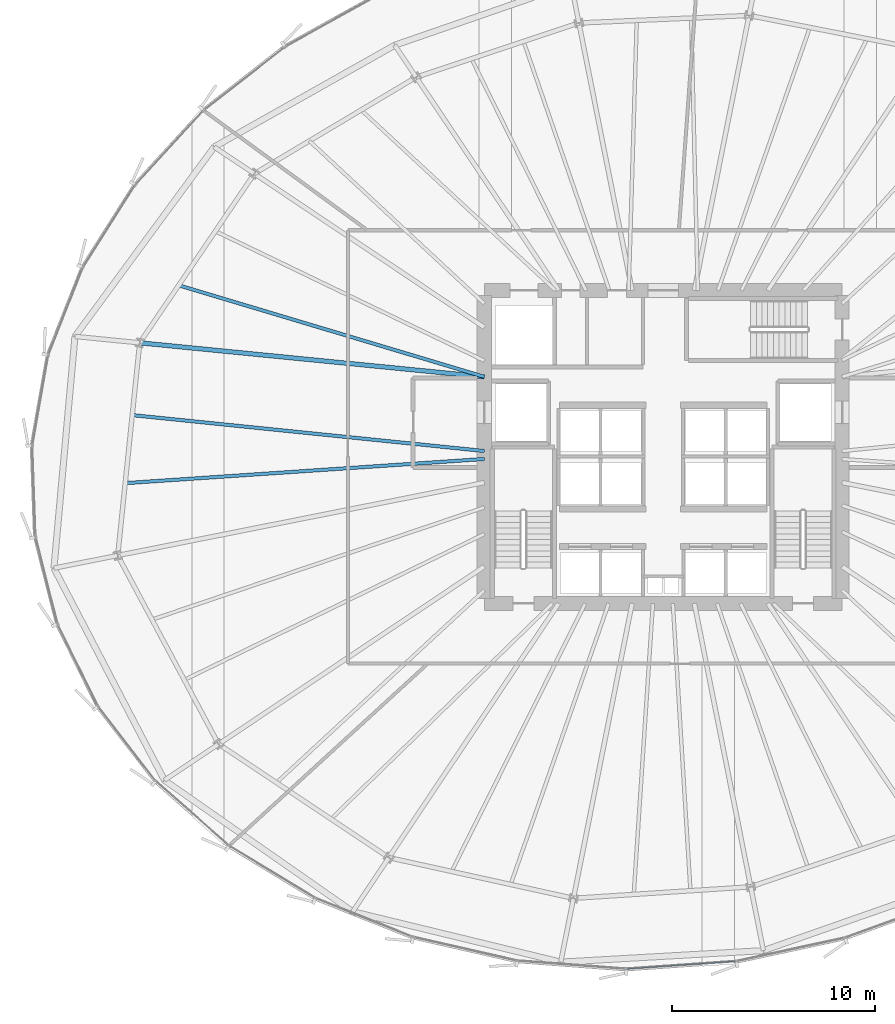
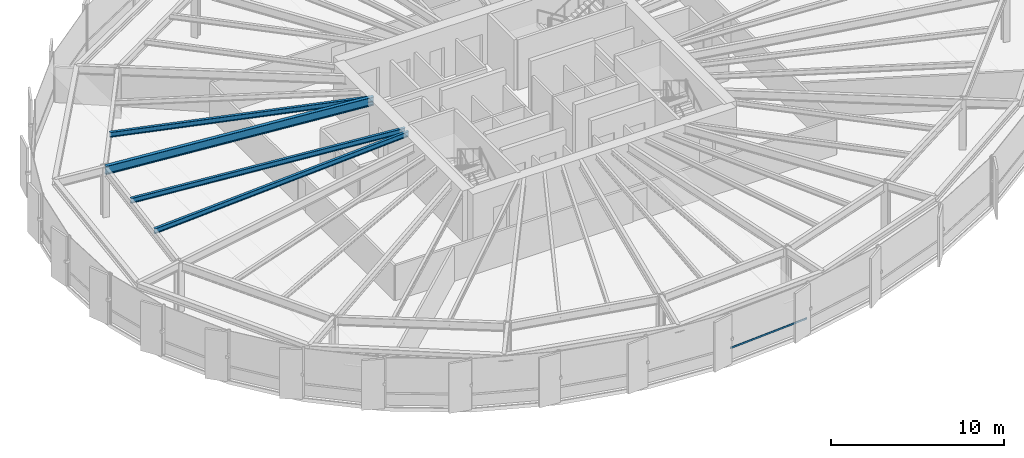
# One storey, part 10 of 38: 4 beams, 1 member, 1 element without a shape of its own.
"""IFC4 building model written with IfcOpenShell, lengths in metres."""

import ifcopenshell
import ifcopenshell.guid

model = None  # the IFC model being written
_history = None  # IfcOwnerHistory: only IFC2X3 demands one
_inside = {}  # id of a spatial element -> (the spatial element, [elements in it])
_under = {}  # id of a project, library or spatial element -> (it, [spatial elements below it])
_declared = {}  # id of a project -> (the project, [libraries it declares])
_typed = {}  # id of a type object -> (the type object, [elements of that type])
_made_of = {}  # id of a material, layer set ... -> (it, [elements and type objects made of it])


def new_model(schema):
    """Start an empty IFC model of exactly this schema.

    Asked for "IFC4X3", IfcOpenShell would pick the latest addendum, in which some entities
    have other attributes; the version numbers below select the first issue.
    IFC2X3 requires an IfcOwnerHistory on every rooted entity: one is made here for all.
    """
    global model, _history
    if schema == "IFC4X3":
        model = ifcopenshell.file(schema_version=(4, 3, 0, 0))
    else:
        model = ifcopenshell.file(schema=schema)
    _inside.clear()
    _under.clear()
    _declared.clear()
    _typed.clear()
    _made_of.clear()
    _history = None
    if model.schema == "IFC2X3":
        org = make("IfcOrganization", Name="unknown")
        user = make(
            "IfcPersonAndOrganization",
            ThePerson=make("IfcPerson", FamilyName="unknown"),
            TheOrganization=org,
        )
        app = make(
            "IfcApplication",
            ApplicationDeveloper=org,
            Version="unknown",
            ApplicationFullName="unknown",
            ApplicationIdentifier="unknown",
        )
        _history = make(
            "IfcOwnerHistory",
            OwningUser=user,
            OwningApplication=app,
            ChangeAction="ADDED",
            CreationDate=0,
        )
    return model


def make(cls, **values):
    """One entity of the class cls with the attributes given. An attribute that is None is left unset."""
    return model.create_entity(
        cls, **{name: value for name, value in values.items() if value is not None}
    )


def rooted(cls, **values):
    """An entity with a GlobalId (a new one), such as an element, a storey or a relation."""
    return make(cls, GlobalId=ifcopenshell.guid.new(), OwnerHistory=_history, **values)


def si_unit(unit_type, name, prefix=None):
    """IfcSIUnit, for example si_unit("LENGTHUNIT", "METRE", prefix="MILLI")."""
    return make("IfcSIUnit", UnitType=unit_type, Prefix=prefix, Name=name)


def assignment(units):
    """IfcUnitAssignment: the units of a project."""
    return None if units is None else make("IfcUnitAssignment", Units=units)


def point(xyz):
    """IfcCartesianPoint."""
    return None if xyz is None else make("IfcCartesianPoint", Coordinates=xyz)


def direction(xyz):
    """IfcDirection."""
    return None if xyz is None else make("IfcDirection", DirectionRatios=xyz)


def frame(location, z_axis=None, x_axis=None):
    """IfcAxis2Placement3D, a coordinate frame: its origin and axes. An axis left out is left unset."""
    return make(
        "IfcAxis2Placement3D",
        Location=point(location),
        Axis=direction(z_axis),
        RefDirection=direction(x_axis),
    )


def frame_2d(location, x_axis=None):
    """IfcAxis2Placement2D, a coordinate frame in the plane: its origin and x axis."""
    return make(
        "IfcAxis2Placement2D", Location=point(location), RefDirection=direction(x_axis)
    )


def origin():
    """The frame at (0, 0, 0) with its axes left unset."""
    return frame((0.0, 0.0, 0.0))


def origin_2d():
    """The frame at (0, 0) in the plane with its x axis left unset."""
    return frame_2d((0.0, 0.0))


def place(relative_to, where):
    """IfcLocalPlacement: puts the frame where relative to a parent placement (None: the world)."""
    return make(
        "IfcLocalPlacement", PlacementRelTo=relative_to, RelativePlacement=where
    )


def context(
    kind, dimensions, precision=None, world=None, true_north=None, identifier=None
):
    """IfcGeometricRepresentationContext, for example the 3D "Model" context."""
    return make(
        "IfcGeometricRepresentationContext",
        ContextIdentifier=identifier,
        ContextType=kind,
        CoordinateSpaceDimension=dimensions,
        Precision=precision,
        WorldCoordinateSystem=world,
        TrueNorth=true_north,
    )


def subcontext(parent, identifier, kind, view, scale=None):
    """IfcGeometricRepresentationSubContext, for example "Body" below "Model"."""
    return make(
        "IfcGeometricRepresentationSubContext",
        ContextIdentifier=identifier,
        ContextType=kind,
        ParentContext=parent,
        TargetScale=scale,
        TargetView=view,
    )


def project(units=None, contexts=None):
    """IfcProject with its units and contexts."""
    return rooted(
        "IfcProject",
        Name="project",
        RepresentationContexts=contexts,
        UnitsInContext=assignment(units),
    )


def spatial(cls, under=None, at=None, **own):
    """A site, building, storey or space (cls), placed at a placement, below another one or the project."""
    s = rooted(cls, ObjectPlacement=at, **own)
    if under is not None:
        _under.setdefault(under.id(), (under, []))[1].append(s)
    return s


def profile(cls, at=None, kind="AREA", **sizes):
    """A parametric profile (cls). Its sizes go by their IFC names, for example OverallWidth=200.0."""
    return make(cls, ProfileType=kind, Position=at, **sizes)


def hollow_rectangle(**sizes):
    """IfcRectangleHollowProfileDef."""
    return profile("IfcRectangleHollowProfileDef", **sizes)


def i_section(**sizes):
    """IfcIShapeProfileDef."""
    return profile("IfcIShapeProfileDef", **sizes)


def extrude(swept, where, along, depth):
    """IfcExtrudedAreaSolid: the profile swept, set in the frame where, extruded along a direction by depth."""
    return make(
        "IfcExtrudedAreaSolid",
        SweptArea=swept,
        Position=where,
        ExtrudedDirection=direction(along),
        Depth=depth,
    )


def shape(context_of_items, identifier, shape_type, items):
    """IfcShapeRepresentation: the items that make up one representation, for example the "Body"."""
    return make(
        "IfcShapeRepresentation",
        ContextOfItems=context_of_items,
        RepresentationIdentifier=identifier,
        RepresentationType=shape_type,
        Items=items,
    )


def source(mapping_origin, context_of_items, identifier, shape_type, items):
    """IfcRepresentationMap: a shape defined once, which mapped items show again and again."""
    return make(
        "IfcRepresentationMap",
        MappingOrigin=mapping_origin,
        MappedRepresentation=shape(context_of_items, identifier, shape_type, items),
    )


def transform(
    local_origin,
    x_axis=None,
    y_axis=None,
    z_axis=None,
    scale=None,
    scale2=None,
    scale3=None,
    uniform=True,
):
    """IfcCartesianTransformationOperator3D, or its non-uniform kind. x_axis, y_axis, z_axis: its Axis1, 2, 3."""
    if uniform:
        return make(
            "IfcCartesianTransformationOperator3D",
            Axis1=direction(x_axis),
            Axis2=direction(y_axis),
            LocalOrigin=point(local_origin),
            Scale=scale,
            Axis3=direction(z_axis),
        )
    return make(
        "IfcCartesianTransformationOperator3DnonUniform",
        Axis1=direction(x_axis),
        Axis2=direction(y_axis),
        LocalOrigin=point(local_origin),
        Scale=scale,
        Axis3=direction(z_axis),
        Scale2=scale2,
        Scale3=scale3,
    )


def mapped(mapping_source, mapping_target):
    """IfcMappedItem: shows the shape of a source again, moved by a transform."""
    return make(
        "IfcMappedItem", MappingSource=mapping_source, MappingTarget=mapping_target
    )


def material(Name=None, Category=None):
    """IfcMaterial."""
    return make("IfcMaterial", Name=Name, Category=Category)


def layer(
    of_material, thickness, ventilated=None, Name=None, Category=None, Priority=None
):
    """IfcMaterialLayer: one layer of a wall or slab, of a material (None: an air gap)."""
    return make(
        "IfcMaterialLayer",
        Material=of_material,
        LayerThickness=thickness,
        IsVentilated=ventilated,
        Name=Name,
        Category=Category,
        Priority=Priority,
    )


def layer_set(layers, Name=None):
    """IfcMaterialLayerSet."""
    return make("IfcMaterialLayerSet", MaterialLayers=layers, LayerSetName=Name)


def material_profile(
    of_material, cross_section, Name=None, Category=None, Priority=None
):
    """IfcMaterialProfile: a cross section and its material."""
    return make(
        "IfcMaterialProfile",
        Name=Name,
        Material=of_material,
        Profile=cross_section,
        Priority=Priority,
        Category=Category,
    )


def profile_set(profiles, Name=None, composite=None):
    """IfcMaterialProfileSet."""
    return make(
        "IfcMaterialProfileSet",
        Name=Name,
        MaterialProfiles=profiles,
        CompositeProfile=composite,
    )


def made_of(thing, what):
    """Note that an element or type object is made of a material, layer set ...; save() writes the relation."""
    if what is not None:
        _made_of.setdefault(what.id(), (what, []))[1].append(thing)
    return thing


def type_object(cls, material=None, **own):
    """A type object (cls), such as IfcWallType, which elements share."""
    return made_of(rooted(cls, **own), material)


def element(
    cls,
    number,
    at=None,
    inside=None,
    cuts=None,
    type_object=None,
    material=None,
    context=None,
    identifier="Body",
    shape_type=None,
    held_by="IfcProductDefinitionShape",
    body=None,
    shapes=None,
    **own,
):
    """One element of the class cls, such as IfcWall. Its Tag is "e" and its number.

    at: its placement. inside: the storey or other place that contains it. cuts: it is an
    opening in that element (IfcRelVoidsElement). A single representation is given by context,
    identifier, shape_type and body (its items); several are given by shapes. held_by: the class
    of the entity that holds the representations. save() writes the other relations.
    """
    e = rooted(cls, Tag="e%d" % number, ObjectPlacement=at, **own)
    if body is not None:
        shapes = [shape(context, identifier, shape_type, body)]
    if shapes is not None:
        e.Representation = make(held_by, Representations=shapes)
    if inside is not None:
        _inside.setdefault(inside.id(), (inside, []))[1].append(e)
    if cuts is not None:
        rooted(
            "IfcRelVoidsElement", RelatingBuildingElement=cuts, RelatedOpeningElement=e
        )
    if type_object is not None:
        _typed.setdefault(type_object.id(), (type_object, []))[1].append(e)
    return made_of(e, material)


def aggregate(whole, parts):
    """IfcRelAggregates: a whole, such as a stair, and the parts it consists of."""
    return rooted("IfcRelAggregates", RelatingObject=whole, RelatedObjects=parts)


def save(model, path):
    """Write the relations noted so far, then the file.

    IfcRelAggregates (storeys below a building ...), IfcRelContainedInSpatialStructure (elements
    in a storey), IfcRelDefinesByType, IfcRelAssociatesMaterial and IfcRelDeclares: one each for
    every whole, place, type object, material and project.
    """
    for whole, parts in _under.values():
        aggregate(whole, parts)
    for where, things in _inside.values():
        rooted(
            "IfcRelContainedInSpatialStructure",
            RelatedElements=things,
            RelatingStructure=where,
        )
    for kind, things in _typed.values():
        rooted("IfcRelDefinesByType", RelatedObjects=things, RelatingType=kind)
    for what, things in _made_of.values():
        rooted("IfcRelAssociatesMaterial", RelatedObjects=things, RelatingMaterial=what)
    for by, libraries in _declared.values():
        rooted("IfcRelDeclares", RelatingContext=by, RelatedDefinitions=libraries)
    model.write(path)


model = new_model("IFC4")

# Units and contexts
model_context = context("Model", 3, precision=1e-05, world=origin(), true_north=direction((0.0, 1.0)))
body_context = subcontext(model_context, "Body", "Model", "MODEL_VIEW")
ifc_project = project(units=[si_unit("LENGTHUNIT", "METRE"), si_unit("AREAUNIT", "SQUARE_METRE"), si_unit("VOLUMEUNIT", "CUBIC_METRE"), si_unit("PLANEANGLEUNIT", "RADIAN"), si_unit("MASSUNIT", "GRAM", prefix="KILO"), si_unit("THERMODYNAMICTEMPERATUREUNIT", "KELVIN")], contexts=[model_context])

# Site, building, storey
site_placement = place(None, origin())
site = spatial("IfcSite", under=ifc_project, at=site_placement, CompositionType="ELEMENT")
building_placement = place(site_placement, origin())
building = spatial("IfcBuilding", under=site, at=building_placement, Name="Kethvar Cultural Tower", CompositionType="ELEMENT")
storey_placement = place(building_placement, frame((0.0, 0.0, 63.800048828125)))
storey = spatial("IfcBuildingStorey", under=building, at=storey_placement, Name="L15", CompositionType="ELEMENT", Elevation=63.800048828125)

# Beams
ifc_material_1 = material(Name="Steel S355J2", Category="steel")
ifc_material_profile_1 = material_profile(ifc_material_1, i_section(OverallWidth=0.219970703125, OverallDepth=0.60009765625, WebThickness=0.011962890625, FlangeThickness=0.01904296875, FilletRadius=0.02392578125, at=origin_2d()), Name="Steel S355J2 — IPE600")
ifc_profile_set_1 = profile_set([ifc_material_profile_1], Name="Steel S355J2 — IPE600")
beam_type_1 = type_object("IfcBeamType", Name="BM-IPE600", PredefinedType="BEAM", material=ifc_profile_set_1)
shared_shape_1 = source(origin(), body_context, "Body", "SweptSolid", [
    extrude(i_section(OverallWidth=0.219970703125, OverallDepth=0.60009765625, WebThickness=0.011962890625, FlangeThickness=0.01904296875, FilletRadius=0.02392578125, at=origin_2d()), origin(), (0.0, 0.0, 1.0), 17.03515625),
])
beam_1_placement = place(storey_placement, frame((38.0, 31.25, 3.248046875), z_axis=(-0.995168138859, 0.098185413375, 0.0), x_axis=(-0.098185413375, -0.995168138859, 0.0)))
element("IfcBeam", 1, at=beam_1_placement, inside=storey, type_object=beam_type_1, Name="L15 Primary Radial Beam RB-08", PredefinedType="BEAM", context=body_context, shape_type="MappedRepresentation", body=[
    mapped(shared_shape_1, transform((0.0, 0.0, 0.0), scale=1.0)),
])
ifc_material_profile_2 = material_profile(ifc_material_1, i_section(OverallWidth=0.169921875, OverallDepth=0.360107421875, WebThickness=0.008056640625, FlangeThickness=0.0126953125, FilletRadius=0.01806640625, at=origin_2d()), Name="Steel S355J2 — IPE360")
ifc_profile_set_2 = profile_set([ifc_material_profile_2], Name="Steel S355J2 — IPE360")
beam_type_2 = type_object("IfcBeamType", Name="BM-J360", PredefinedType="JOIST", material=ifc_profile_set_2)
shared_shape_2 = source(origin(), body_context, "Body", "SweptSolid", [
    extrude(i_section(OverallWidth=0.169921875, OverallDepth=0.360107421875, WebThickness=0.008056640625, FlangeThickness=0.0126953125, FilletRadius=0.01806640625, at=origin_2d()), origin(), (0.0, 0.0, 1.0), 15.6953125),
])
beam_2_placement = place(storey_placement, frame((38.0, 31.25, 3.367919921875), z_axis=(-0.958003344758, 0.28675702508, 0.0), x_axis=(-0.28675702508, -0.958003344758, 0.0)))
element("IfcBeam", 2, at=beam_2_placement, inside=storey, type_object=beam_type_2, Name="L15 Composite Floor Joist J-07B", PredefinedType="JOIST", context=body_context, shape_type="MappedRepresentation", body=[
    mapped(shared_shape_2, transform((0.0, 0.0, 0.0), scale=1.0)),
])
shared_shape_3 = source(origin(), body_context, "Body", "SweptSolid", [
    extrude(i_section(OverallWidth=0.169921875, OverallDepth=0.360107421875, WebThickness=0.008056640625, FlangeThickness=0.0126953125, FilletRadius=0.01806640625, at=origin_2d()), origin(), (0.0, 0.0, 1.0), 17.410400390625),
])
beam_3_placement = place(storey_placement, frame((38.0, 27.60009765625, 3.367919921875), z_axis=(-0.99484162516, 0.101440331474, 0.0), x_axis=(-0.101440331474, -0.99484162516, 0.0)))
element("IfcBeam", 3, at=beam_3_placement, inside=storey, type_object=beam_type_2, Name="L15 Composite Floor Joist J-08A", PredefinedType="JOIST", context=body_context, shape_type="MappedRepresentation", body=[
    mapped(shared_shape_3, transform((0.0, 0.0, 0.0), scale=1.0)),
])
shared_shape_4 = source(origin(), body_context, "Body", "SweptSolid", [
    extrude(i_section(OverallWidth=0.169921875, OverallDepth=0.360107421875, WebThickness=0.008056640625, FlangeThickness=0.0126953125, FilletRadius=0.01806640625, at=origin_2d()), origin(), (0.0, 0.0, 1.0), 17.70654296875),
])
beam_4_placement = place(storey_placement, frame((38.0, 27.207763671875, 3.367919921875), z_axis=(-0.997742984455, -0.067148618533, 0.0), x_axis=(0.067148618533, -0.997742984455, 0.0)))
element("IfcBeam", 4, at=beam_4_placement, inside=storey, type_object=beam_type_2, Name="L15 Composite Floor Joist J-08B", PredefinedType="JOIST", context=body_context, shape_type="MappedRepresentation", body=[
    mapped(shared_shape_4, transform((0.0, 0.0, 0.0), scale=1.0)),
])

# Curtain wall, member
ifc_material_2 = material(Name="Aluminium 6063-T6", Category="aluminium")
ifc_layer = layer(ifc_material_2, 0.179931640625, Name="Aluminium 6063-T6", Category="aluminium")
ifc_layer_set = layer_set([ifc_layer], Name="Aluminium 6063-T6 (180 mm)")
curtain_wall_type = type_object("IfcCurtainWallType", Name="CW-SYS-02-Z1", PredefinedType="NOTDEFINED", material=ifc_layer_set)
curtain_wall_placement = place(storey_placement, origin())
curtain_wall = element("IfcCurtainWall", 5, at=curtain_wall_placement, inside=storey, type_object=curtain_wall_type, Name="L15 Curtain Wall Run 05", PredefinedType="NOTDEFINED")
ifc_material_profile_3 = material_profile(ifc_material_2, hollow_rectangle(XDim=0.054931640625, YDim=0.1201171875, WallThickness=0.00390625, at=origin_2d()), Name="Aluminium 6063-T6 — RHS120x55x4")
ifc_profile_set_3 = profile_set([ifc_material_profile_3], Name="Aluminium 6063-T6 — RHS120x55x4")
member_type = type_object("IfcMemberType", Name="CW-SYS-02-Z1-TRN", PredefinedType="USERDEFINED", material=ifc_profile_set_3)
shared_shape_5 = source(origin(), body_context, "Body", "SweptSolid", [
    extrude(hollow_rectangle(XDim=0.054931640625, YDim=0.1201171875, WallThickness=0.00390625, at=origin_2d()), origin(), (0.0, 0.0, 1.0), 5.358154296875),
])
member_placement = place(storey_placement, frame((45.016845703125, 2.1279296875, 0.949951171875), z_axis=(0.997567148925, 0.069712146609, 0.0), x_axis=(-0.069712146609, 0.997567148925, 0.0)))
member = element("IfcMember", 6, at=member_placement, type_object=member_type, Name="CW-L15-R05 Transom 3", ObjectType="TRANSOM", PredefinedType="USERDEFINED", context=body_context, shape_type="MappedRepresentation", body=[
    mapped(shared_shape_5, transform((0.0, 0.0, 0.0), scale=1.0)),
])
aggregate(curtain_wall, [member])

save(model, "model.ifc")
